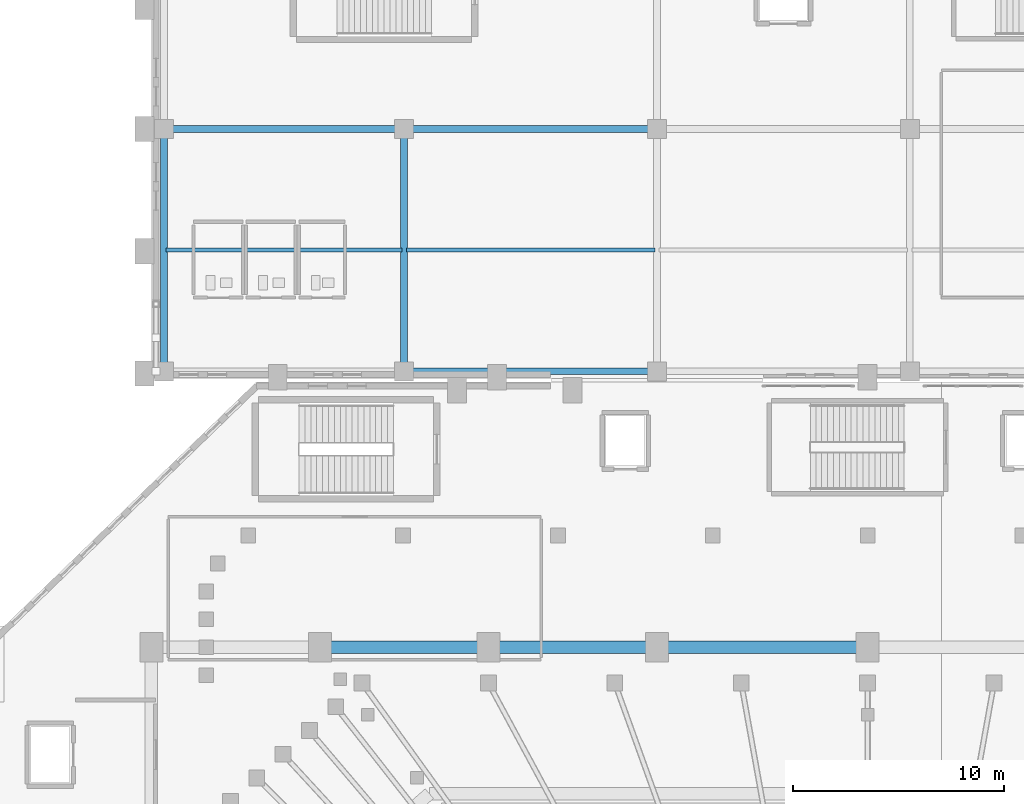
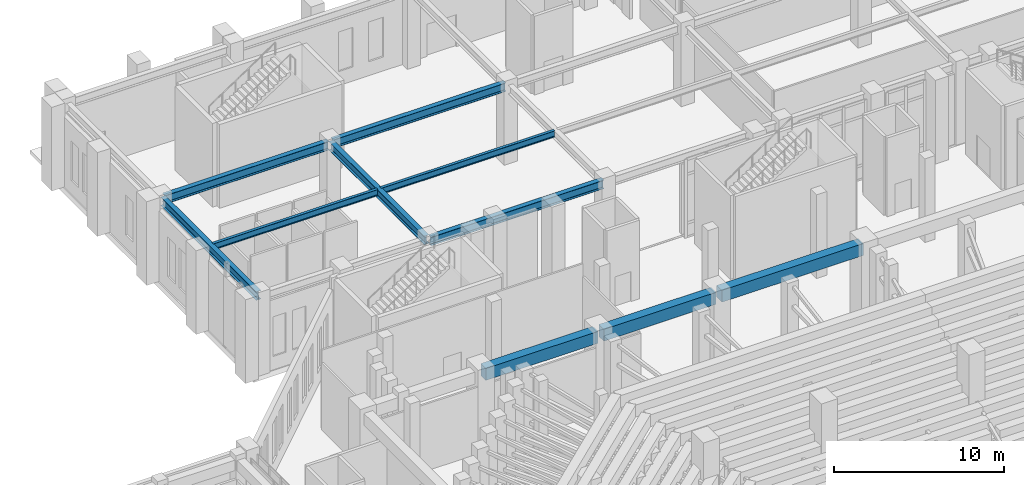
# One storey, part 47 of 143: 10 beams.
"""IFC4 building model written with IfcOpenShell, lengths in metres."""

from ifc_helpers import new_model, si_unit, derived_unit, direction, frame, origin, origin_2d, place, context, subcontext, project, spatial, rectangle, i_section, extrude, material, material_profile, profile_set, type_object, element, save


model = new_model("IFC4")

# Units and contexts
model_context = context("Model", 3, precision=1e-05, world=origin(), true_north=direction((0.0, 1.0)))
body_context = subcontext(model_context, "Body", "Model", "MODEL_VIEW")
ifc_project = project(units=[si_unit("LENGTHUNIT", "METRE"), si_unit("AREAUNIT", "SQUARE_METRE"), si_unit("VOLUMEUNIT", "CUBIC_METRE"), si_unit("PLANEANGLEUNIT", "RADIAN"), si_unit("MASSUNIT", "GRAM", prefix="KILO"), derived_unit("THERMALTRANSMITTANCEUNIT", [(si_unit("MASSUNIT", "GRAM", prefix="KILO"), 1), (si_unit("TIMEUNIT", "SECOND"), -3), (si_unit("THERMODYNAMICTEMPERATUREUNIT", "KELVIN"), -1)])], contexts=[model_context])

# Site, building, storey
site_placement = place(None, origin())
site = spatial("IfcSite", under=ifc_project, at=site_placement, CompositionType="ELEMENT")
building_placement = place(site_placement, origin())
building = spatial("IfcBuilding", under=site, at=building_placement, Name="Valcora Ridge Arena", CompositionType="ELEMENT")
storey_placement = place(building_placement, origin())
storey = spatial("IfcBuildingStorey", under=building, at=storey_placement, Name="L00", CompositionType="ELEMENT", Elevation=0.0)

# Beams
ifc_material_1 = material(Name="Concrete C40/50", Category="concrete")
ifc_material_profile_1 = material_profile(ifc_material_1, rectangle(XDim=0.60009765625, YDim=0.85009765625, at=origin_2d()), Name="RC 600x850")
ifc_profile_set_1 = profile_set([ifc_material_profile_1], Name="Concrete C40/50")
beam_type_1 = type_object("IfcBeamType", Name="TY-BEAM-EB-RC600", PredefinedType="BEAM", material=ifc_profile_set_1)
for number, where, z_axis, x_axis, name in (
    (1, (32.199951171875, 95.60009765625, 5.215087890625), (1.0, 0.0, 0.0), (0.0, 1.0, 0.0), "EB-RC600 BEM-EB-RC600-0010"),
    (2, (40.199951171875, 95.60009765625, 5.215087890625), (1.0, 0.0, 0.0), (0.0, 1.0, 0.0), "EB-RC600 BEM-EB-RC600-0011"),
):
    element("IfcBeam", number, at=place(storey_placement, frame(where, z_axis=z_axis, x_axis=x_axis)), inside=storey, type_object=beam_type_1, Name=name, PredefinedType="BEAM", context=body_context, shape_type="SweptSolid", body=[
        extrude(rectangle(XDim=0.60009765625, YDim=0.85009765625, at=origin_2d()), origin(), (0.0, 0.0, 1.0), 7.60009765625),
    ])
beam_1_placement = place(storey_placement, frame((48.199951171875, 95.60009765625, 5.215087890625), z_axis=(1.0, 0.0, 0.0), x_axis=(0.0, 1.0, 0.0)))
element("IfcBeam", 3, at=beam_1_placement, inside=storey, type_object=beam_type_1, Name="EB-RC600 BEM-EB-RC600-0012", PredefinedType="BEAM", context=body_context, shape_type="SweptSolid", body=[
    extrude(rectangle(XDim=0.60009765625, YDim=0.85009765625, at=origin_2d()), origin(), (0.0, 0.0, 1.0), 9.60009765625),
])
ifc_material_2 = material(Name="Steel ASTM A572 Grade 50", Category="steel")
ifc_material_profile_2 = material_profile(ifc_material_2, i_section(OverallWidth=0.324951171875, OverallDepth=0.612060546875, WebThickness=0.0126953125, FlangeThickness=0.01904296875, FilletRadius=0.01806640625, at=origin_2d()), Name="W24X104")
ifc_profile_set_2 = profile_set([ifc_material_profile_2], Name="Steel ASTM A572 Grade 50")
beam_type_2 = type_object("IfcBeamType", Name="TY-BEAM-G-W24X104-X", PredefinedType="BEAM", material=ifc_profile_set_2)
beam_2_placement = place(storey_placement, frame((36.139892578125, 108.699951171875, 5.333984375), z_axis=(1.0, 0.0, 0.0), x_axis=(0.0, 1.0, 0.0)))
element("IfcBeam", 4, at=beam_2_placement, inside=storey, type_object=beam_type_2, Name="G-W24X104-X BEM-G-W24X104-X-0005", PredefinedType="BEAM", context=body_context, shape_type="SweptSolid", body=[
    extrude(i_section(OverallWidth=0.324951171875, OverallDepth=0.612060546875, WebThickness=0.0126953125, FlangeThickness=0.01904296875, FilletRadius=0.01806640625, at=origin_2d()), origin(), (0.0, 0.0, 1.0), 11.72021484375),
])
beam_3_placement = place(storey_placement, frame((24.739990234375, 120.199951171875, 5.333984375), z_axis=(1.0, 0.0, 0.0), x_axis=(0.0, 1.0, 0.0)))
element("IfcBeam", 5, at=beam_3_placement, inside=storey, type_object=beam_type_2, Name="G-W24X104-X BEM-G-W24X104-X-0018", PredefinedType="BEAM", context=body_context, shape_type="SweptSolid", body=[
    extrude(i_section(OverallWidth=0.324951171875, OverallDepth=0.612060546875, WebThickness=0.0126953125, FlangeThickness=0.01904296875, FilletRadius=0.01806640625, at=origin_2d()), origin(), (0.0, 0.0, 1.0), 11.1201171875),
])
beam_4_placement = place(storey_placement, frame((36.139892578125, 120.199951171875, 5.333984375), z_axis=(1.0, 0.0, 0.0), x_axis=(0.0, 1.0, 0.0)))
element("IfcBeam", 6, at=beam_4_placement, inside=storey, type_object=beam_type_2, Name="G-W24X104-X BEM-G-W24X104-X-0019", PredefinedType="BEAM", context=body_context, shape_type="SweptSolid", body=[
    extrude(i_section(OverallWidth=0.324951171875, OverallDepth=0.612060546875, WebThickness=0.0126953125, FlangeThickness=0.01904296875, FilletRadius=0.01806640625, at=origin_2d()), origin(), (0.0, 0.0, 1.0), 11.72021484375),
])
ifc_material_profile_3 = material_profile(ifc_material_2, i_section(OverallWidth=0.324951171875, OverallDepth=0.612060546875, WebThickness=0.0126953125, FlangeThickness=0.01904296875, FilletRadius=0.01806640625, at=origin_2d()), Name="W24X104")
ifc_profile_set_3 = profile_set([ifc_material_profile_3], Name="Steel ASTM A572 Grade 50")
beam_type_3 = type_object("IfcBeamType", Name="TY-BEAM-G-W24X104-Y", PredefinedType="BEAM", material=ifc_profile_set_3)
for number, where, z_axis, x_axis, name in (
    (7, (24.60009765625, 108.840087890625, 5.333984375), (0.0, 1.0, 0.0), (-1.0, 0.0, 0.0), "G-W24X104-Y BEM-G-W24X104-Y-0001"),
    (8, (36.0, 108.840087890625, 5.333984375), (0.0, 1.0, 0.0), (-1.0, 0.0, 0.0), "G-W24X104-Y BEM-G-W24X104-Y-0003"),
):
    element("IfcBeam", number, at=place(storey_placement, frame(where, z_axis=z_axis, x_axis=x_axis)), inside=storey, type_object=beam_type_3, Name=name, PredefinedType="BEAM", context=body_context, shape_type="SweptSolid", body=[
        extrude(i_section(OverallWidth=0.324951171875, OverallDepth=0.612060546875, WebThickness=0.0126953125, FlangeThickness=0.01904296875, FilletRadius=0.01806640625, at=origin_2d()), origin(), (0.0, 0.0, 1.0), 11.219970703125),
    ])
ifc_material_profile_4 = material_profile(ifc_material_2, i_section(OverallWidth=0.18994140625, OverallDepth=0.45703125, WebThickness=0.009033203125, FlangeThickness=0.014404296875, FilletRadius=0.014892578125, at=origin_2d()), Name="W18X50")
ifc_profile_set_4 = profile_set([ifc_material_profile_4], Name="Steel ASTM A572 Grade 50")
beam_type_4 = type_object("IfcBeamType", Name="TY-BEAM-J-W18X50", PredefinedType="JOIST", material=ifc_profile_set_4)
beam_5_placement = place(storey_placement, frame((24.699951171875, 114.449951171875, 5.41162109375), z_axis=(1.0, 0.0, 0.0), x_axis=(0.0, 1.0, 0.0)))
element("IfcBeam", 9, at=beam_5_placement, inside=storey, type_object=beam_type_4, Name="J-W18X50 BEM-J-W18X50-0001", PredefinedType="JOIST", context=body_context, shape_type="SweptSolid", body=[
    extrude(i_section(OverallWidth=0.18994140625, OverallDepth=0.45703125, WebThickness=0.009033203125, FlangeThickness=0.014404296875, FilletRadius=0.014892578125, at=origin_2d()), origin(), (0.0, 0.0, 1.0), 11.199951171875),
])
beam_6_placement = place(storey_placement, frame((36.10009765625, 114.449951171875, 5.41162109375), z_axis=(1.0, 0.0, 0.0), x_axis=(0.0, 1.0, 0.0)))
element("IfcBeam", 10, at=beam_6_placement, inside=storey, type_object=beam_type_4, Name="J-W18X50 BEM-J-W18X50-0002", PredefinedType="JOIST", context=body_context, shape_type="SweptSolid", body=[
    extrude(i_section(OverallWidth=0.18994140625, OverallDepth=0.45703125, WebThickness=0.009033203125, FlangeThickness=0.014404296875, FilletRadius=0.014892578125, at=origin_2d()), origin(), (0.0, 0.0, 1.0), 11.7998046875),
])

save(model, "model.ifc")
